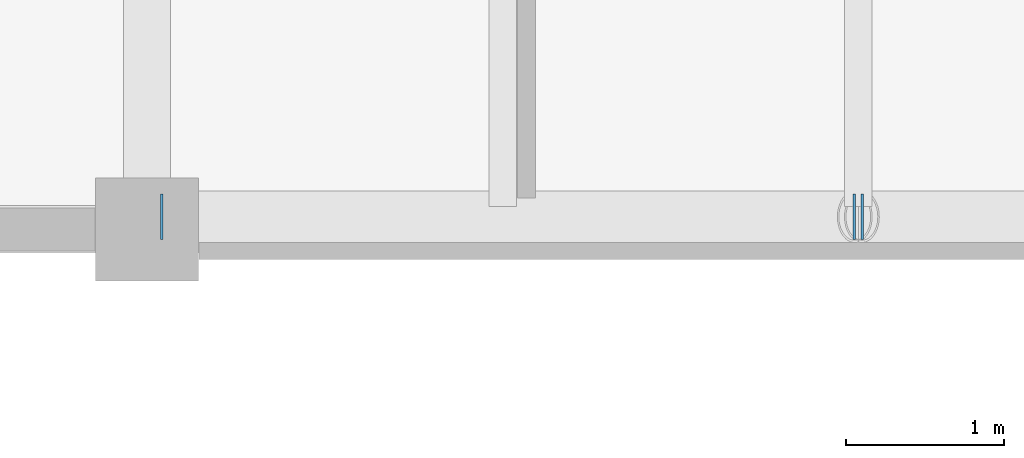
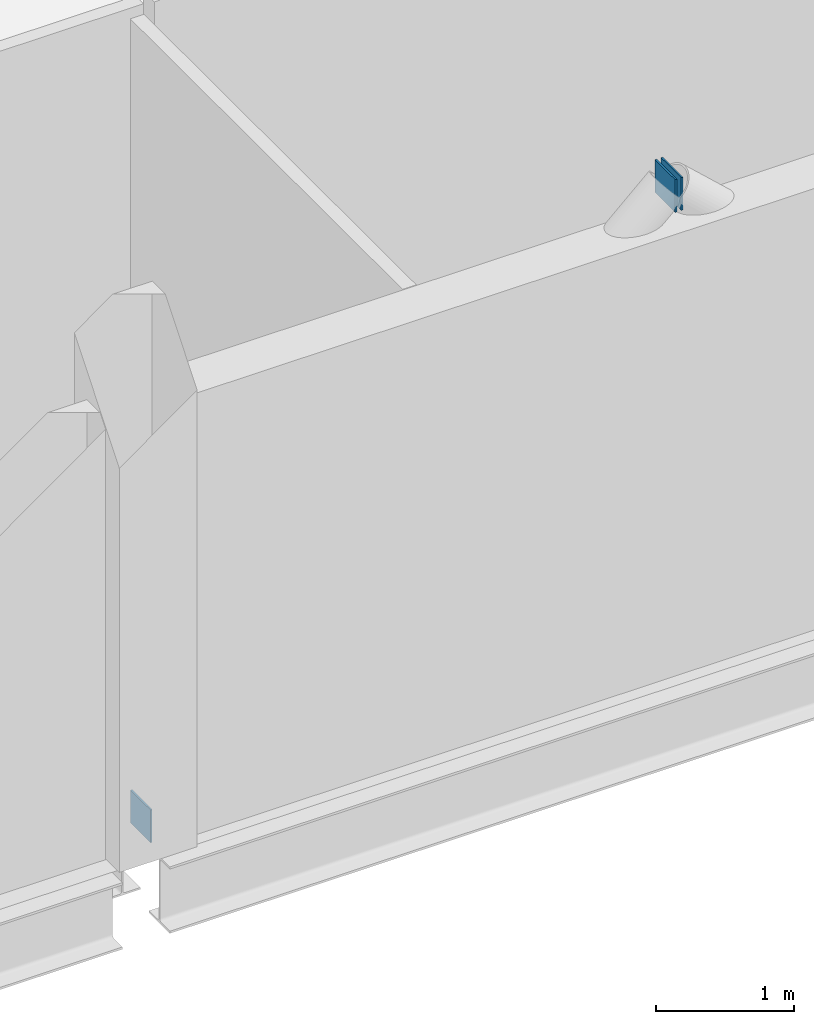
# One storey, part 146 of 172: 3 plates.
"""IFC4 building model written with IfcOpenShell, lengths in metres."""

from ifc_helpers import new_model, si_unit, direction, frame, origin, origin_2d, place, context, subcontext, project, spatial, rectangle, extrude, material, layer, layer_set, type_object, element, save


model = new_model("IFC4")

# Units and contexts
model_context = context("Model", 3, precision=1e-05, world=origin(), true_north=direction((0.0, 1.0)))
body_context = subcontext(model_context, "Body", "Model", "MODEL_VIEW")
ifc_project = project(units=[si_unit("LENGTHUNIT", "METRE"), si_unit("AREAUNIT", "SQUARE_METRE"), si_unit("VOLUMEUNIT", "CUBIC_METRE"), si_unit("PLANEANGLEUNIT", "RADIAN"), si_unit("MASSUNIT", "GRAM", prefix="KILO")], contexts=[model_context])

# Site, building, storey
site_placement = place(None, origin())
site = spatial("IfcSite", under=ifc_project, at=site_placement, CompositionType="ELEMENT")
building_placement = place(site_placement, origin())
building = spatial("IfcBuilding", under=site, at=building_placement, Name="Shengluoqiao Park Theatre", CompositionType="ELEMENT")
storey_placement = place(building_placement, frame((0.0, 0.0, 5.39990234375)))
storey = spatial("IfcBuildingStorey", under=building, at=storey_placement, Name="L01", CompositionType="ELEMENT", Elevation=5.39990234375)

# Plates
ifc_material = material(Name="Steel Q355", Category="steel")
ifc_layer = layer(ifc_material, 0.013916015625, Name="Steel Q355")
ifc_layer_set = layer_set([ifc_layer], Name="Steel Q355")
plate_type = type_object("IfcPlateType", Name="STR-PLT-EC-280", PredefinedType="SHEET", material=ifc_layer_set)
for number, where, z_axis, x_axis, name in (
    (1, (121.492919921875, 84.080078125, -0.039794921875), (0.0, 0.0, 1.0), (1.0, 0.0, 0.0), "Hollow Tube End Cap Plate 00172"),
    (2, (125.87451171875, 84.080078125, 3.992431640625), (0.0, 0.0, 1.0), (1.0, 0.0, 0.0), "Hollow Tube End Cap Plate 00173"),
    (3, (125.92529296875, 84.080078125, 3.992431640625), (0.0, 0.0, 1.0), (-1.0, 0.0, 0.0), "Hollow Tube End Cap Plate 00175"),
):
    element("IfcPlate", number, at=place(storey_placement, frame(where, z_axis=z_axis, x_axis=x_axis)), inside=storey, type_object=plate_type, Name=name, PredefinedType="SHEET", context=body_context, shape_type="SweptSolid", body=[
        extrude(rectangle(XDim=0.013916015625, YDim=0.2900390625, at=origin_2d()), origin(), (0.0, 0.0, 1.0), 0.2900390625),
    ])

save(model, "model.ifc")
